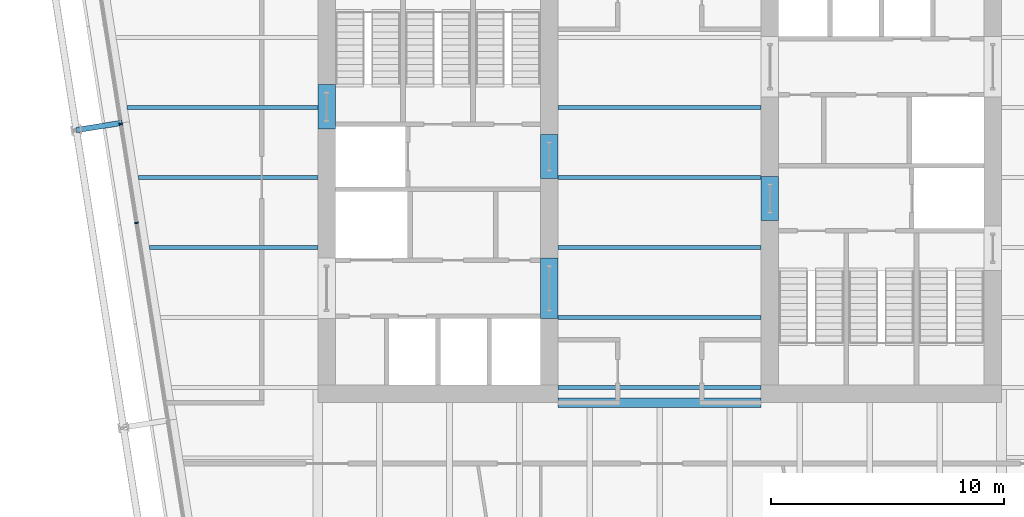
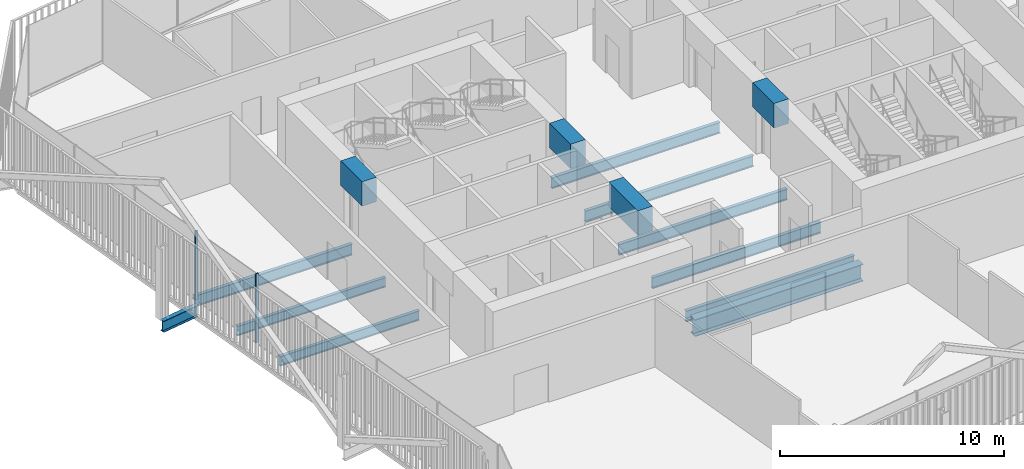
# One storey, part 6 of 22: 14 beams, 2 members, 1 element without a shape of its own.
"""IFC4 building model written with IfcOpenShell, lengths in metres."""

from ifc_helpers import new_model, si_unit, direction, frame, origin, origin_2d, place, context, subcontext, project, spatial, rectangle, i_section, extrude, material, layer, layer_set, material_profile, profile_set, type_object, element, aggregate, save


model = new_model("IFC4")

# Units and contexts
model_context = context("Model", 3, precision=1e-05, world=origin(), true_north=direction((0.0, 1.0)))
body_context = subcontext(model_context, "Body", "Model", "MODEL_VIEW")
ifc_project = project(units=[si_unit("LENGTHUNIT", "METRE"), si_unit("AREAUNIT", "SQUARE_METRE"), si_unit("VOLUMEUNIT", "CUBIC_METRE"), si_unit("PLANEANGLEUNIT", "RADIAN"), si_unit("MASSUNIT", "GRAM", prefix="KILO")], contexts=[model_context])

# Site, building, storey
site_placement = place(None, origin())
site = spatial("IfcSite", under=ifc_project, at=site_placement, CompositionType="ELEMENT")
building_placement = place(site_placement, origin())
building = spatial("IfcBuilding", under=site, at=building_placement, Name="Millrace Tower", CompositionType="ELEMENT")
storey_placement = place(building_placement, frame((0.0, 0.0, 187.800048828125)))
storey = spatial("IfcBuildingStorey", under=building, at=storey_placement, Name="L42", CompositionType="ELEMENT", Elevation=187.800048828125)

# Curtain wall, members
ifc_material_1 = material(Name="Aluminium and glass", Category="aluminium")
ifc_layer = layer(ifc_material_1, 0.14990234375)
ifc_layer_set = layer_set([ifc_layer], Name="Aluminium and glass")
curtain_wall_type = type_object("IfcCurtainWallType", Name="CW-1 office vision curtain wall", PredefinedType="NOTDEFINED", material=ifc_layer_set)
curtain_wall_placement = place(storey_placement, origin())
curtain_wall = element("IfcCurtainWall", 1, at=curtain_wall_placement, inside=storey, type_object=curtain_wall_type, Name="Curtain wall C-F08 L42", PredefinedType="NOTDEFINED")
ifc_material_2 = material(Name="Aluminium", Category="aluminium")
ifc_material_profile_1 = material_profile(ifc_material_2, rectangle(XDim=0.06494140625, YDim=0.14990234375, at=origin_2d()))
ifc_profile_set_1 = profile_set([ifc_material_profile_1], Name="Aluminium")
member_type = type_object("IfcMemberType", Name="CW-1 office vision curtain wall mullion", PredefinedType="MULLION", material=ifc_profile_set_1)
member_1_placement = place(storey_placement, frame((-23.088623046875, 2.300537109375, 0.139892578125), z_axis=(0.0, 0.0, 1.0), x_axis=(0.15643447328, -0.98768833929, 0.0)))
member_1 = element("IfcMember", 2, at=member_1_placement, type_object=member_type, Name="CW1 mullion C-F08.4", PredefinedType="MULLION", context=body_context, shape_type="SweptSolid", body=[
    extrude(rectangle(XDim=0.06494140625, YDim=0.14990234375, at=origin_2d()), origin(), (0.0, 0.0, 1.0), 3.760009765625),
])
member_2_placement = place(storey_placement, frame((-22.416015625, -1.946533203125, 0.139892578125), z_axis=(0.0, 0.0, 1.0), x_axis=(0.15643447328, -0.98768833929, 0.0)))
member_2 = element("IfcMember", 3, at=member_2_placement, type_object=member_type, Name="CW1 mullion C-F08.5", PredefinedType="MULLION", context=body_context, shape_type="SweptSolid", body=[
    extrude(rectangle(XDim=0.06494140625, YDim=0.14990234375, at=origin_2d()), origin(), (0.0, 0.0, 1.0), 3.760009765625),
])
aggregate(curtain_wall, [member_1, member_2])

# Beams
ifc_material_3 = material(Name="Concrete C70", Category="concrete")
ifc_material_profile_2 = material_profile(ifc_material_3, rectangle(XDim=0.75, YDim=1.340087890625, at=origin_2d()))
ifc_profile_set_2 = profile_set([ifc_material_profile_2], Name="Concrete C70")
beam_type_1 = type_object("IfcBeamType", Name="Coupling beam 750 x 1340 Concrete C70, 1300 opening", PredefinedType="BEAM", material=ifc_profile_set_2)
beam_1_placement = place(storey_placement, frame((-14.27490234375, 2.080078125, 3.070068359375), z_axis=(0.0, 1.0, 0.0), x_axis=(-1.0, 0.0, 0.0)))
element("IfcBeam", 4, at=beam_1_placement, inside=storey, type_object=beam_type_1, Name="Coupling beam W L42", PredefinedType="BEAM", context=body_context, shape_type="SweptSolid", body=[
    extrude(rectangle(XDim=0.75, YDim=1.340087890625, at=origin_2d()), origin(), (0.0, 0.0, 1.0), 1.89990234375),
])
for number, where, z_axis, x_axis, name in (
    (5, (-4.72509765625, -0.050048828125, 3.070068359375), (0.0, 1.0, 0.0), (-1.0, 0.0, 0.0), "Coupling beam W L42"),
    (6, (4.72509765625, 0.050048828125, 3.070068359375), (0.0, -1.0, 0.0), (1.0, 0.0, 0.0), "Coupling beam E L42"),
):
    element("IfcBeam", number, at=place(storey_placement, frame(where, z_axis=z_axis, x_axis=x_axis)), inside=storey, type_object=beam_type_1, Name=name, PredefinedType="BEAM", context=body_context, shape_type="SweptSolid", body=[
        extrude(rectangle(XDim=0.75, YDim=1.340087890625, at=origin_2d()), origin(), (0.0, 0.0, 1.0), 1.900146484375),
    ])
ifc_material_4 = material(Name="Concrete C70", Category="concrete")
ifc_material_profile_3 = material_profile(ifc_material_4, rectangle(XDim=0.75, YDim=1.340087890625, at=origin_2d()))
ifc_profile_set_3 = profile_set([ifc_material_profile_3], Name="Concrete C70")
beam_type_2 = type_object("IfcBeamType", Name="Coupling beam 750 x 1340 Concrete C70, 2000 opening", PredefinedType="BEAM", material=ifc_profile_set_3)
beam_2_placement = place(storey_placement, frame((-4.72509765625, -6.050048828125, 3.070068359375), z_axis=(0.0, 1.0, 0.0), x_axis=(-1.0, 0.0, 0.0)))
element("IfcBeam", 7, at=beam_2_placement, inside=storey, type_object=beam_type_2, Name="Coupling beam W L42", PredefinedType="BEAM", context=body_context, shape_type="SweptSolid", body=[
    extrude(rectangle(XDim=0.75, YDim=1.340087890625, at=origin_2d()), origin(), (0.0, 0.0, 1.0), 2.60009765625),
])
ifc_material_5 = material(Name="Steel ASTM A992 Grade 50", Category="steel")
ifc_material_profile_4 = material_profile(ifc_material_5, i_section(OverallWidth=0.1650390625, OverallDepth=0.52587890625, WebThickness=0.0087890625, FlangeThickness=0.011474609375, FilletRadius=0.0126953125, at=origin_2d()))
ifc_profile_set_4 = profile_set([ifc_material_profile_4], Name="Steel ASTM A992 Grade 50")
beam_type_3 = type_object("IfcBeamType", Name="Floor beam W21x44", PredefinedType="JOIST", material=ifc_profile_set_4)
beam_3_placement = place(storey_placement, frame((-21.862060546875, -3.0, -0.4228515625), z_axis=(1.0, 0.0, 0.0), x_axis=(0.0, 1.0, 0.0)))
element("IfcBeam", 8, at=beam_3_placement, inside=storey, type_object=beam_type_3, Name="BM-C-L42-S1-S017", PredefinedType="JOIST", context=body_context, shape_type="SweptSolid", body=[
    extrude(i_section(OverallWidth=0.1650390625, OverallDepth=0.52587890625, WebThickness=0.0087890625, FlangeThickness=0.011474609375, FilletRadius=0.0126953125, at=origin_2d()), origin(), (0.0, 0.0, 1.0), 7.212158203125),
])
beam_4_placement = place(storey_placement, frame((-22.337158203125, 0.0, -0.4228515625), z_axis=(1.0, 0.0, 0.0), x_axis=(0.0, 1.0, 0.0)))
element("IfcBeam", 9, at=beam_4_placement, inside=storey, type_object=beam_type_3, Name="BM-C-L42-S1-S020", PredefinedType="JOIST", context=body_context, shape_type="SweptSolid", body=[
    extrude(i_section(OverallWidth=0.1650390625, OverallDepth=0.52587890625, WebThickness=0.0087890625, FlangeThickness=0.011474609375, FilletRadius=0.0126953125, at=origin_2d()), origin(), (0.0, 0.0, 1.0), 7.687255859375),
])
ifc_material_6 = material(Name="Steel ASTM A992 Grade 50", Category="steel")
ifc_material_profile_5 = material_profile(ifc_material_6, i_section(OverallWidth=0.177978515625, OverallDepth=0.599365234375, WebThickness=0.010009765625, FlangeThickness=0.012939453125, FilletRadius=0.012939453125, at=origin_2d()))
ifc_profile_set_5 = profile_set([ifc_material_profile_5], Name="Steel ASTM A992 Grade 50")
beam_type_4 = type_object("IfcBeamType", Name="Floor beam W24x55", PredefinedType="JOIST", material=ifc_profile_set_5)
for number, where, z_axis, x_axis, name in (
    (10, (-4.35009765625, -9.0, -0.459716796875), (1.0, 0.0, 0.0), (0.0, 1.0, 0.0), "BM-C-L42-S1-S010"),
    (11, (-4.35009765625, -6.0, -0.459716796875), (1.0, 0.0, 0.0), (0.0, 1.0, 0.0), "BM-C-L42-S1-S013"),
    (12, (-4.35009765625, -3.0, -0.459716796875), (1.0, 0.0, 0.0), (0.0, 1.0, 0.0), "BM-C-L42-S1-S016"),
    (13, (-4.35009765625, 0.0, -0.459716796875), (1.0, 0.0, 0.0), (0.0, 1.0, 0.0), "BM-C-L42-S1-S019"),
    (14, (-4.35009765625, 3.0, -0.459716796875), (1.0, 0.0, 0.0), (0.0, 1.0, 0.0), "BM-C-L42-S1-S022"),
):
    element("IfcBeam", number, at=place(storey_placement, frame(where, z_axis=z_axis, x_axis=x_axis)), inside=storey, type_object=beam_type_4, Name=name, PredefinedType="JOIST", context=body_context, shape_type="SweptSolid", body=[
        extrude(i_section(OverallWidth=0.177978515625, OverallDepth=0.599365234375, WebThickness=0.010009765625, FlangeThickness=0.012939453125, FilletRadius=0.012939453125, at=origin_2d()), origin(), (0.0, 0.0, 1.0), 8.7001953125),
    ])
beam_5_placement = place(storey_placement, frame((-22.812255859375, 3.0, -0.459716796875), z_axis=(1.0, 0.0, 0.0), x_axis=(0.0, 1.0, 0.0)))
element("IfcBeam", 15, at=beam_5_placement, inside=storey, type_object=beam_type_4, Name="BM-C-L42-S1-S023", PredefinedType="JOIST", context=body_context, shape_type="SweptSolid", body=[
    extrude(i_section(OverallWidth=0.177978515625, OverallDepth=0.599365234375, WebThickness=0.010009765625, FlangeThickness=0.012939453125, FilletRadius=0.012939453125, at=origin_2d()), origin(), (0.0, 0.0, 1.0), 8.162353515625),
])
ifc_material_7 = material(Name="Steel ASTM A992 Grade 50", Category="steel")
ifc_material_profile_6 = material_profile(ifc_material_7, i_section(OverallWidth=0.419189453125, OverallDepth=0.927001953125, WebThickness=0.019287109375, FlangeThickness=0.031982421875, FilletRadius=0.024169921875, at=origin_2d()))
ifc_profile_set_6 = profile_set([ifc_material_profile_6], Name="Steel ASTM A992 Grade 50")
beam_type_5 = type_object("IfcBeamType", Name="Girder short span W36x231", PredefinedType="BEAM", material=ifc_profile_set_6)
beam_6_placement = place(storey_placement, frame((-4.35009765625, -9.64990234375, -0.62353515625), z_axis=(1.0, 0.0, 0.0), x_axis=(0.0, 1.0, 0.0)))
element("IfcBeam", 16, at=beam_6_placement, inside=storey, type_object=beam_type_5, Name="BM-C-L42-S1-G062", PredefinedType="BEAM", context=body_context, shape_type="SweptSolid", body=[
    extrude(i_section(OverallWidth=0.419189453125, OverallDepth=0.927001953125, WebThickness=0.019287109375, FlangeThickness=0.031982421875, FilletRadius=0.024169921875, at=origin_2d()), origin(), (0.0, 0.0, 1.0), 8.7001953125),
])
ifc_material_8 = material(Name="Steel ASTM A992 Grade 50", Category="steel")
ifc_material_profile_7 = material_profile(ifc_material_8, i_section(OverallWidth=0.23046875, OverallDepth=0.6171875, WebThickness=0.01318359375, FlangeThickness=0.022216796875, FilletRadius=0.012939453125, at=origin_2d()))
ifc_profile_set_7 = profile_set([ifc_material_profile_7], Name="Steel ASTM A992 Grade 50")
beam_type_6 = type_object("IfcBeamType", Name="Link beam W24x94", PredefinedType="BEAM", material=ifc_profile_set_7)
beam_7_placement = place(storey_placement, frame((-23.019775390625, 2.344482421875, -0.46875), z_axis=(-0.987678691416, -0.156495375404, 0.0), x_axis=(0.156495375404, -0.987678691416, 0.0)))
element("IfcBeam", 17, at=beam_7_placement, inside=storey, type_object=beam_type_6, Name="LNK-C-L42-S1-03", PredefinedType="BEAM", context=body_context, shape_type="SweptSolid", body=[
    extrude(i_section(OverallWidth=0.23046875, OverallDepth=0.6171875, WebThickness=0.01318359375, FlangeThickness=0.022216796875, FilletRadius=0.012939453125, at=origin_2d()), origin(), (0.0, 0.0, 1.0), 2.0),
])

save(model, "model.ifc")
